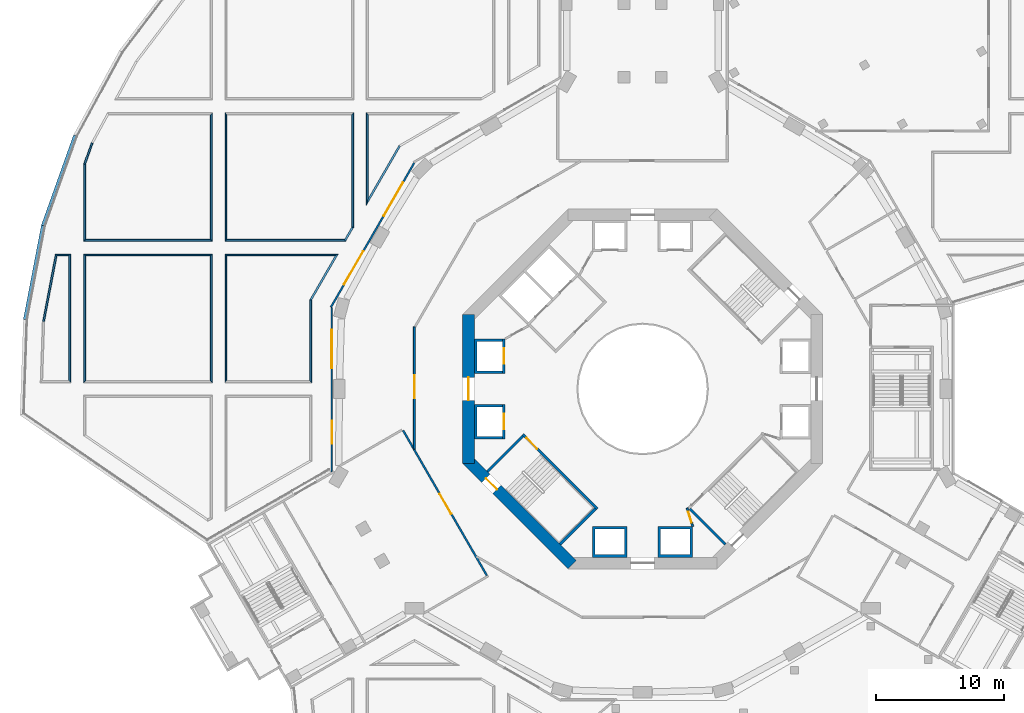
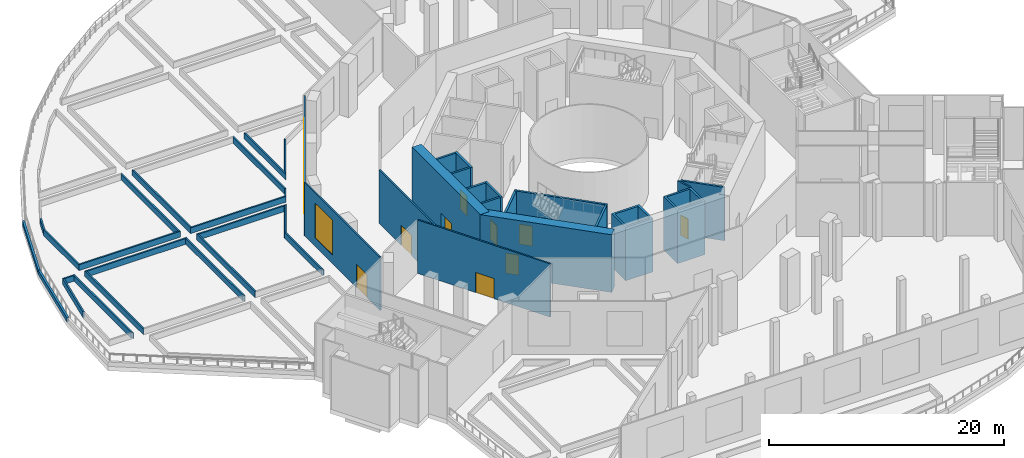
# One storey, part 5 of 29: 39 walls, 9 doors, 3 windows, 12 openings.
"""IFC4 building model written with IfcOpenShell, lengths in metres."""

from ifc_helpers import new_model, si_unit, direction, frame, frame_2d, origin, place, context, subcontext, project, spatial, polyline, rectangle, outline, extrude, material, layer, layer_set, type_object, element, fill, save


model = new_model("IFC4")

# Units and contexts
model_context = context("Model", 3, precision=1e-05, world=origin(), true_north=direction((0.0, 1.0)))
body_context = subcontext(model_context, "Body", "Model", "MODEL_VIEW")
ifc_project = project(units=[si_unit("LENGTHUNIT", "METRE"), si_unit("AREAUNIT", "SQUARE_METRE"), si_unit("VOLUMEUNIT", "CUBIC_METRE"), si_unit("PLANEANGLEUNIT", "RADIAN"), si_unit("MASSUNIT", "GRAM", prefix="KILO")], contexts=[model_context])

# Site, building, storey
site_placement = place(None, origin())
site = spatial("IfcSite", under=ifc_project, at=site_placement, CompositionType="ELEMENT")
building_placement = place(site_placement, origin())
building = spatial("IfcBuilding", under=site, at=building_placement, Name="Verdalira Terraces Hotel", CompositionType="ELEMENT")
storey_placement = place(building_placement, frame((0.0, 0.0, 8.0)))
storey = spatial("IfcBuildingStorey", under=building, at=storey_placement, Name="L01", CompositionType="ELEMENT", Elevation=8.0)

# Wall
ifc_material_1 = material(Name="Concrete C50", Category="concrete")
ifc_layer_1 = layer(ifc_material_1, 0.199951171875)
ifc_layer_set_1 = layer_set([ifc_layer_1], Name="Core RC wall 200 C50")
wall_type_1 = type_object("IfcWallType", Name="Core RC wall 200 C50", PredefinedType="SOLIDWALL", material=ifc_layer_set_1)
wall_1_placement = place(storey_placement, origin())
element("IfcWall", 1, at=wall_1_placement, inside=storey, type_object=wall_type_1, Name="L01 shaft wall W1", PredefinedType="SOLIDWALL", context=body_context, shape_type="SweptSolid", body=[
    extrude(outline(polyline([(-13.100098, 3.899902), (-10.899902, 3.899902), (-10.899902, 3.699951), (-12.899902, 3.699951), (-12.899902, 1.399902), (-10.899902, 1.399902), (-10.899902, 1.199951), (-13.100098, 1.199951), (-13.100098, 3.899902)])), origin(), (0.0, 0.0, 1.0), 5.550049),
])

# Wall, opening, door
wall_2_placement = place(storey_placement, frame((-10.800049, 1.199951, 0.0), z_axis=(0.0, 0.0, 1.0), x_axis=(0.0, 1.0, 0.0)))
wall_2 = element("IfcWall", 2, at=wall_2_placement, inside=storey, type_object=wall_type_1, Name="L01 shaft front wall W1", PredefinedType="SOLIDWALL", context=body_context, shape_type="SweptSolid", body=[
    extrude(rectangle(XDim=2.699951, YDim=0.199951, at=frame_2d((1.350098, 0.0))), origin(), (0.0, 0.0, 1.0), 5.550049),
])
opening_1_placement = place(wall_2_placement, frame((0.75, 0.0, 0.0)))
opening_1 = element("IfcOpeningElement", 3, at=opening_1_placement, cuts=wall_2, Name="Opening LD-L01-805", PredefinedType="OPENING", context=body_context, shape_type="SweptSolid", body=[
    extrude(rectangle(XDim=1.199951, YDim=2.100098, at=frame_2d((0.600098, 1.050049))), frame((0.0, 0.109863, 0.0), z_axis=(0.0, -1.0, 0.0), x_axis=(1.0, 0.0, 0.0)), (0.0, 0.0, 1.0), 0.219971),
])
ifc_material_2 = material(Name="Stainless steel", Category="steel")
door_type_1 = type_object("IfcDoorType", Name="Landing door 1200 x 2100", OperationType="NOTDEFINED", PredefinedType="DOOR", material=ifc_material_2)
door_1_placement = place(opening_1_placement, origin())
door_1 = element("IfcDoor", 4, at=door_1_placement, inside=storey, type_object=door_type_1, Name="Lift landing door LR5 L01", OperationType="DOUBLE_DOOR_SLIDING", OverallHeight=2.10009765625, OverallWidth=1.199951171875, PredefinedType="DOOR", context=body_context, shape_type="SweptSolid", body=[
    extrude(rectangle(XDim=1.199951, YDim=2.100098, at=frame_2d((0.600098, 1.050049))), frame((0.0, 0.024902, 0.0), z_axis=(0.0, -1.0, 0.0), x_axis=(1.0, 0.0, 0.0)), (0.0, 0.0, 1.0), 0.050049),
])
fill(opening_1, door_1)

# Wall
wall_3_placement = place(storey_placement, origin())
element("IfcWall", 5, at=wall_3_placement, inside=storey, type_object=wall_type_1, Name="L01 shaft wall W2", PredefinedType="SOLIDWALL", context=body_context, shape_type="SweptSolid", body=[
    extrude(outline(polyline([(-13.100098, -3.899902), (-13.100098, -1.199951), (-10.899902, -1.199951), (-10.899902, -1.399902), (-12.899902, -1.399902), (-12.899902, -3.699951), (-10.899902, -3.699951), (-10.899902, -3.899902), (-13.100098, -3.899902)])), origin(), (0.0, 0.0, 1.0), 5.550049),
])

# Wall, opening, door
wall_4_placement = place(storey_placement, frame((-10.800049, -1.199951, 0.0), z_axis=(0.0, 0.0, 1.0), x_axis=(0.0, -1.0, 0.0)))
wall_4 = element("IfcWall", 6, at=wall_4_placement, inside=storey, type_object=wall_type_1, Name="L01 shaft front wall W2", PredefinedType="SOLIDWALL", context=body_context, shape_type="SweptSolid", body=[
    extrude(rectangle(XDim=2.699951, YDim=0.199951, at=frame_2d((1.350098, 0.0))), origin(), (0.0, 0.0, 1.0), 5.550049),
])
opening_2_placement = place(wall_4_placement, frame((0.75, 0.0, 0.0)))
opening_2 = element("IfcOpeningElement", 7, at=opening_2_placement, cuts=wall_4, Name="Opening LD-L01-806", PredefinedType="OPENING", context=body_context, shape_type="SweptSolid", body=[
    extrude(rectangle(XDim=1.199951, YDim=2.100098, at=frame_2d((0.600098, 1.050049))), frame((0.0, 0.109863, 0.0), z_axis=(0.0, -1.0, 0.0), x_axis=(1.0, 0.0, 0.0)), (0.0, 0.0, 1.0), 0.219971),
])
door_2_placement = place(opening_2_placement, origin())
door_2 = element("IfcDoor", 8, at=door_2_placement, inside=storey, type_object=door_type_1, Name="Lift landing door LR6 L01", OperationType="DOUBLE_DOOR_SLIDING", OverallHeight=2.10009765625, OverallWidth=1.199951171875, PredefinedType="DOOR", context=body_context, shape_type="SweptSolid", body=[
    extrude(rectangle(XDim=1.199951, YDim=2.100098, at=frame_2d((0.600098, 1.050049))), frame((0.0, 0.024902, 0.0), z_axis=(0.0, -1.0, 0.0), x_axis=(1.0, 0.0, 0.0)), (0.0, 0.0, 1.0), 0.050049),
])
fill(opening_2, door_2)

# Walls
wall_5_placement = place(storey_placement, origin())
element("IfcWall", 9, at=wall_5_placement, inside=storey, type_object=wall_type_1, Name="L01 shaft wall S1", PredefinedType="SOLIDWALL", context=body_context, shape_type="SweptSolid", body=[
    extrude(outline(polyline([(-1.199951, -13.100098), (-3.899902, -13.100098), (-3.899902, -10.699951), (-1.199951, -10.699951), (-1.199951, -13.100098)]), holes=[polyline([(-3.699951, -10.899902), (-3.699951, -12.899902), (-1.399902, -12.899902), (-1.399902, -10.899902), (-3.699951, -10.899902)])]), origin(), (0.0, 0.0, 1.0), 5.550049),
])
wall_6_placement = place(storey_placement, origin())
element("IfcWall", 10, at=wall_6_placement, inside=storey, type_object=wall_type_1, Name="L01 shaft wall S2", PredefinedType="SOLIDWALL", context=body_context, shape_type="SweptSolid", body=[
    extrude(outline(polyline([(3.899902, -10.699951), (3.899902, -13.100098), (1.199951, -13.100098), (1.199951, -10.699951), (3.899902, -10.699951)]), holes=[polyline([(1.399902, -12.899902), (3.699951, -12.899902), (3.699951, -10.899902), (1.399902, -10.899902), (1.399902, -12.899902)])]), origin(), (0.0, 0.0, 1.0), 5.550049),
])

# Wall, opening, door
wall_7_placement = place(storey_placement, frame((-3.5354, -9.33374, 0.0), z_axis=(0.0, 0.0, 1.0), x_axis=(-0.707106781, 0.707106781, 0.0)))
wall_7 = element("IfcWall", 11, at=wall_7_placement, inside=storey, type_object=wall_type_1, Name="L01 stair ST2 front wall", PredefinedType="SOLIDWALL", context=body_context, shape_type="SweptSolid", body=[
    extrude(rectangle(XDim=8.200195, YDim=0.199951, at=frame_2d((4.100098, 0.0))), origin(), (0.0, 0.0, 1.0), 5.550049),
])
opening_3_placement = place(wall_7_placement, frame((6.600098, 0.0, 0.0)))
opening_3 = element("IfcOpeningElement", 12, at=opening_3_placement, cuts=wall_7, Name="Opening L01-810", PredefinedType="OPENING", context=body_context, shape_type="SweptSolid", body=[
    extrude(rectangle(XDim=1.199951, YDim=2.100098, at=frame_2d((0.600098, 1.050049))), frame((0.0, 0.109863, 0.0), z_axis=(0.0, -1.0, 0.0), x_axis=(1.0, 0.0, 0.0)), (0.0, 0.0, 1.0), 0.219971),
])
ifc_material_3 = material(Name="Steel fire door", Category="steel")
door_type_2 = type_object("IfcDoorType", Name="Stair door 1200 x 2100", OperationType="NOTDEFINED", PredefinedType="DOOR", material=ifc_material_3)
door_3_placement = place(opening_3_placement, origin())
door_3 = element("IfcDoor", 13, at=door_3_placement, inside=storey, type_object=door_type_2, Name="Stair door ST2 L01", OperationType="SINGLE_SWING_RIGHT", OverallHeight=2.10009765625, OverallWidth=1.199951171875, PredefinedType="DOOR", context=body_context, shape_type="SweptSolid", body=[
    extrude(rectangle(XDim=1.199951, YDim=2.100098, at=frame_2d((0.600098, 1.050049))), frame((0.0, 0.024902, 0.0), z_axis=(0.0, -1.0, 0.0), x_axis=(1.0, 0.0, 0.0)), (0.0, 0.0, 1.0), 0.050049),
])
fill(opening_3, door_3)

# Walls
for number, where, z_axis, x_axis, name in (
    (14, (-9.33374, -3.677002, 0.0), (0.0, 0.0, 1.0), (-0.707106781, -0.707106781, 0.0), "L01 stair ST2 end wall 1"),
    (15, (-3.677002, -9.33374, 0.0), (0.0, 0.0, 1.0), (-0.707106781, -0.707106781, 0.0), "L01 stair ST2 end wall 2"),
    (16, (3.677002, -9.33374, 0.0), (0.0, 0.0, 1.0), (0.707106781, -0.707106781, 0.0), "L01 stair ST3 end wall 1"),
):
    element("IfcWall", number, at=place(storey_placement, frame(where, z_axis=z_axis, x_axis=x_axis)), inside=storey, type_object=wall_type_1, Name=name, PredefinedType="SOLIDWALL", context=body_context, shape_type="SweptSolid", body=[
        extrude(rectangle(XDim=3.900146, YDim=0.199951, at=frame_2d((1.950195, 0.0))), origin(), (0.0, 0.0, 1.0), 5.550049),
    ])

# Wall, opening, door
ifc_material_4 = material(Name="Gypsum board partition")
ifc_layer_2 = layer(ifc_material_4, 0.14990234375)
ifc_layer_set_2 = layer_set([ifc_layer_2], Name="Core partition 150 mm")
wall_type_2 = type_object("IfcWallType", Name="Core partition 150 mm", PredefinedType="PARTITIONING", material=ifc_layer_set_2)
wall_8_placement = place(storey_placement, frame((3.899902, -10.699951, 0.0), z_axis=(0.0, 0.0, 1.0), x_axis=(-0.289808785, 0.957084567, 0.0)))
wall_8 = element("IfcWall", 17, at=wall_8_placement, inside=storey, type_object=wall_type_2, Name="Room partition L01", PredefinedType="PARTITIONING", context=body_context, shape_type="SweptSolid", body=[
    extrude(rectangle(XDim=1.501221, YDim=0.149902, at=frame_2d((0.750488, 0.0))), origin(), (0.0, 0.0, 1.0), 5.550049),
])
opening_4_placement = place(wall_8_placement, frame((0.300781, 0.0, 0.0)))
opening_4 = element("IfcOpeningElement", 18, at=opening_4_placement, cuts=wall_8, Name="Opening L01-822", PredefinedType="OPENING", context=body_context, shape_type="SweptSolid", body=[
    extrude(rectangle(XDim=0.899902, YDim=2.100098, at=frame_2d((0.449951, 1.050049))), frame((0.0, 0.084961, 0.0), z_axis=(0.0, -1.0, 0.0), x_axis=(1.0, 0.0, 0.0)), (0.0, 0.0, 1.0), 0.169922),
])
ifc_material_5 = material(Name="Steel fire door", Category="steel")
door_type_3 = type_object("IfcDoorType", Name="Core room door 900 x 2100", OperationType="NOTDEFINED", PredefinedType="DOOR", material=ifc_material_5)
door_4_placement = place(opening_4_placement, origin())
door_4 = element("IfcDoor", 19, at=door_4_placement, inside=storey, type_object=door_type_3, Name="Door L01 room6", OperationType="SINGLE_SWING_LEFT", OverallHeight=2.10009765625, OverallWidth=0.89990234375, PredefinedType="DOOR", context=body_context, shape_type="SweptSolid", body=[
    extrude(rectangle(XDim=0.899902, YDim=2.100098, at=frame_2d((0.449951, 1.050049))), frame((0.0, 0.024902, 0.0), z_axis=(0.0, -1.0, 0.0), x_axis=(1.0, 0.0, 0.0)), (0.0, 0.0, 1.0), 0.050049),
])
fill(opening_4, door_4)

ifc_material_6 = material(Name="Concrete C70", Category="concrete")
ifc_layer_3 = layer(ifc_material_6, 0.89990234375)
ifc_layer_set_3 = layer_set([ifc_layer_3], Name="Core wall 900 C70")
wall_type_3 = type_object("IfcWallType", Name="Core wall 900 C70", PredefinedType="SHEAR", material=ifc_layer_set_3)
wall_9_placement = place(storey_placement, frame((-13.550049, 5.799072, 0.0), z_axis=(0.0, 0.0, 1.0), x_axis=(0.0, -1.0, 0.0)))
wall_9 = element("IfcWall", 20, at=wall_9_placement, inside=storey, type_object=wall_type_3, Name="Core wall CW-L01-5", PredefinedType="SHEAR", context=body_context, shape_type="SweptSolid", body=[
    extrude(rectangle(XDim=11.598145, YDim=0.899902, at=frame_2d((5.799072, 0.0))), origin(), (0.0, 0.0, 1.0), 6.0),
])
opening_5_placement = place(wall_9_placement, frame((4.898926, 0.0, 0.0)))
opening_5 = element("IfcOpeningElement", 21, at=opening_5_placement, cuts=wall_9, Name="Opening L01-814", PredefinedType="OPENING", context=body_context, shape_type="SweptSolid", body=[
    extrude(rectangle(XDim=1.800049, YDim=2.100098, at=frame_2d((0.899902, 1.050049))), frame((0.0, 0.459961, 0.0), z_axis=(0.0, -1.0, 0.0), x_axis=(1.0, 0.0, 0.0)), (0.0, 0.0, 1.0), 0.919922),
])
ifc_material_7 = material(Name="Steel fire door", Category="steel")
door_type_4 = type_object("IfcDoorType", Name="Core entry door pair 1800 x 2100", OperationType="NOTDEFINED", PredefinedType="DOOR", material=ifc_material_7)
door_5_placement = place(opening_5_placement, origin())
door_5 = element("IfcDoor", 22, at=door_5_placement, inside=storey, type_object=door_type_4, Name="Core entry door L01 4", OperationType="DOUBLE_DOOR_SINGLE_SWING", OverallHeight=2.10009765625, OverallWidth=1.800048828125, PredefinedType="DOOR", context=body_context, shape_type="SweptSolid", body=[
    extrude(rectangle(XDim=1.800049, YDim=2.100098, at=frame_2d((0.899902, 1.050049))), frame((0.0, 0.024902, 0.0), z_axis=(0.0, -1.0, 0.0), x_axis=(1.0, 0.0, 0.0)), (0.0, 0.0, 1.0), 0.050049),
])
fill(opening_5, door_5)

wall_10_placement = place(storey_placement, frame((-13.681885, -5.480713, 0.0), z_axis=(0.0, 0.0, 1.0), x_axis=(0.707106781, -0.707106781, 0.0)))
wall_10 = element("IfcWall", 23, at=wall_10_placement, inside=storey, type_object=wall_type_3, Name="Core wall CW-L01-6", PredefinedType="SHEAR", context=body_context, shape_type="SweptSolid", body=[
    extrude(rectangle(XDim=11.598145, YDim=0.899902, at=frame_2d((5.799072, 0.0))), origin(), (0.0, 0.0, 1.0), 6.0),
])
opening_6_placement = place(wall_10_placement, frame((2.099121, 0.0, 0.0)))
opening_6 = element("IfcOpeningElement", 24, at=opening_6_placement, cuts=wall_10, Name="Opening L01-817", PredefinedType="OPENING", context=body_context, shape_type="SweptSolid", body=[
    extrude(rectangle(XDim=1.199951, YDim=2.100098, at=frame_2d((0.600098, 1.050049))), frame((0.0, 0.459961, 0.0), z_axis=(0.0, -1.0, 0.0), x_axis=(1.0, 0.0, 0.0)), (0.0, 0.0, 1.0), 0.919922),
])
door_6_placement = place(opening_6_placement, origin())
door_6 = element("IfcDoor", 25, at=door_6_placement, inside=storey, type_object=door_type_2, Name="Stair exit door ST2 L01", OperationType="SINGLE_SWING_LEFT", OverallHeight=2.10009765625, OverallWidth=1.199951171875, PredefinedType="DOOR", context=body_context, shape_type="SweptSolid", body=[
    extrude(rectangle(XDim=1.199951, YDim=2.100098, at=frame_2d((0.600098, 1.050049))), frame((0.0, 0.024902, 0.0), z_axis=(0.0, -1.0, 0.0), x_axis=(1.0, 0.0, 0.0)), (0.0, 0.0, 1.0), 0.050049),
])
fill(opening_6, door_6)

ifc_material_8 = material(Name="Gypsum board partition on steel stud", Category="steel")
ifc_layer_4 = layer(ifc_material_8, 0.14990234375)
ifc_layer_set_4 = layer_set([ifc_layer_4], Name="Fire-rated partition 150 mm")
wall_type_4 = type_object("IfcWallType", Name="Fire-rated partition 150 mm", PredefinedType="PARTITIONING", material=ifc_layer_set_4)
wall_11_placement = place(storey_placement, frame((-17.758301, 4.833252, 0.0), z_axis=(0.0, 0.0, 1.0), x_axis=(0.0, -1.0, 0.0)))
wall_11 = element("IfcWall", 26, at=wall_11_placement, inside=storey, type_object=wall_type_4, Name="Partition", PredefinedType="PARTITIONING", context=body_context, shape_type="SweptSolid", body=[
    extrude(rectangle(XDim=9.516602, YDim=0.149902, at=frame_2d((4.758301, 0.0))), origin(), (0.0, 0.0, 1.0), 5.550049),
])
opening_7_placement = place(wall_11_placement, frame((3.766602, 0.0, 0.0)))
opening_7 = element("IfcOpeningElement", 27, at=opening_7_placement, cuts=wall_11, Name="Opening L01-D05", PredefinedType="OPENING", context=body_context, shape_type="SweptSolid", body=[
    extrude(rectangle(XDim=1.800049, YDim=2.100098, at=frame_2d((0.899902, 1.050049))), frame((0.0, 0.084961, 0.0), z_axis=(0.0, -1.0, 0.0), x_axis=(1.0, 0.0, 0.0)), (0.0, 0.0, 1.0), 0.169922),
])
ifc_material_9 = material(Name="Steel fire door", Category="steel")
door_type_5 = type_object("IfcDoorType", Name="Fire door pair 1800 x 2100", OperationType="DOUBLE_DOOR_SINGLE_SWING", PredefinedType="DOOR", material=ifc_material_9)
door_7_placement = place(opening_7_placement, origin())
door_7 = element("IfcDoor", 28, at=door_7_placement, inside=storey, type_object=door_type_5, Name="Ring corridor door", OperationType="DOUBLE_DOOR_SINGLE_SWING", OverallHeight=2.10009765625, OverallWidth=1.800048828125, PredefinedType="DOOR", context=body_context, shape_type="SweptSolid", body=[
    extrude(rectangle(XDim=1.800049, YDim=2.100098, at=frame_2d((0.899902, 1.050049))), frame((0.0, 0.024902, 0.0), z_axis=(0.0, -1.0, 0.0), x_axis=(1.0, 0.0, 0.0)), (0.0, 0.0, 1.0), 0.050049),
])
fill(opening_7, door_7)

wall_12_placement = place(storey_placement, frame((-18.641602, -3.228516, 0.0), z_axis=(0.0, 0.0, 1.0), x_axis=(0.499998298, -0.866026387, 0.0)))
wall_12 = element("IfcWall", 29, at=wall_12_placement, inside=storey, type_object=wall_type_4, Name="Partition", PredefinedType="PARTITIONING", context=body_context, shape_type="SweptSolid", body=[
    extrude(rectangle(XDim=13.049805, YDim=0.149902, at=frame_2d((6.524902, 0.0))), origin(), (0.0, 0.0, 1.0), 5.550049),
])
opening_8_placement = place(wall_12_placement, frame((5.699951, 0.0, 0.0)))
opening_8 = element("IfcOpeningElement", 30, at=opening_8_placement, cuts=wall_12, Name="Opening L01-D07", PredefinedType="OPENING", context=body_context, shape_type="SweptSolid", body=[
    extrude(rectangle(XDim=1.800049, YDim=2.100098, at=frame_2d((0.899902, 1.050049))), frame((0.0, 0.084961, 0.0), z_axis=(0.0, -1.0, 0.0), x_axis=(1.0, 0.0, 0.0)), (0.0, 0.0, 1.0), 0.169922),
])
door_8_placement = place(opening_8_placement, origin())
door_8 = element("IfcDoor", 31, at=door_8_placement, inside=storey, type_object=door_type_5, Name="Ring corridor door", OperationType="DOUBLE_DOOR_SINGLE_SWING", OverallHeight=2.10009765625, OverallWidth=1.800048828125, PredefinedType="DOOR", context=body_context, shape_type="SweptSolid", body=[
    extrude(rectangle(XDim=1.800049, YDim=2.100098, at=frame_2d((0.899902, 1.050049))), frame((0.0, 0.024902, 0.0), z_axis=(0.0, -1.0, 0.0), x_axis=(1.0, 0.0, 0.0)), (0.0, 0.0, 1.0), 0.050049),
])
fill(opening_8, door_8)

# Walls
ifc_material_10 = material(Name="Concrete C40", Category="concrete")
ifc_layer_5 = layer(ifc_material_10, 0.14990234375)
ifc_layer_set_5 = layer_set([ifc_layer_5], Name="Terrace planter trough 150 x 600")
wall_type_5 = type_object("IfcWallType", Name="Terrace planter trough 150 x 600", PredefinedType="SOLIDWALL", material=ifc_layer_set_5)
wall_13_placement = place(storey_placement, origin())
element("IfcWall", 32, at=wall_13_placement, inside=storey, type_object=wall_type_5, Name="Terrace planting bed trough", PredefinedType="SOLIDWALL", context=body_context, shape_type="SweptSolid", body=[
    extrude(outline(polyline([(-42.909912, 19.166016), (-43.5, 17.513184), (-43.350098, 17.487305), (-42.772461, 19.104492), (-42.909912, 19.166016)])), origin(), (0.0, 0.0, 1.0), 0.600098),
])
wall_14_placement = place(storey_placement, origin())
element("IfcWall", 33, at=wall_14_placement, inside=storey, type_object=wall_type_5, Name="Terrace planting bed trough", PredefinedType="SOLIDWALL", context=body_context, shape_type="SweptSolid", body=[
    extrude(outline(polyline([(-43.5, 17.513184), (-43.5, 11.5), (-43.350098, 11.649902), (-43.350098, 17.487305), (-43.5, 17.513184)])), origin(), (0.0, 0.0, 1.0), 0.600098),
])
wall_15_placement = place(storey_placement, origin())
element("IfcWall", 34, at=wall_15_placement, inside=storey, type_object=wall_type_5, Name="Terrace planting bed trough", PredefinedType="SOLIDWALL", context=body_context, shape_type="SweptSolid", body=[
    extrude(outline(polyline([(-43.5, 11.5), (-33.5, 11.5), (-33.649902, 11.649902), (-43.350098, 11.649902), (-43.5, 11.5)])), origin(), (0.0, 0.0, 1.0), 0.600098),
])
wall_16_placement = place(storey_placement, origin())
element("IfcWall", 35, at=wall_16_placement, inside=storey, type_object=wall_type_5, Name="Terrace planting bed trough", PredefinedType="SOLIDWALL", context=body_context, shape_type="SweptSolid", body=[
    extrude(outline(polyline([(-33.5, 11.5), (-33.5, 21.5), (-33.649902, 21.350098), (-33.649902, 11.649902), (-33.5, 11.5)])), origin(), (0.0, 0.0, 1.0), 0.600098),
])
wall_17_placement = place(storey_placement, origin())
element("IfcWall", 36, at=wall_17_placement, inside=storey, type_object=wall_type_5, Name="Terrace planting bed trough", PredefinedType="SOLIDWALL", context=body_context, shape_type="SweptSolid", body=[
    extrude(outline(polyline([(-21.5, 21.5), (-21.5, 14.277588), (-21.350098, 14.837402), (-21.350098, 21.350098), (-21.5, 21.5)])), origin(), (0.0, 0.0, 1.0), 0.600098),
])
wall_18_placement = place(storey_placement, origin())
element("IfcWall", 37, at=wall_18_placement, inside=storey, type_object=wall_type_5, Name="Terrace planting bed trough", PredefinedType="SOLIDWALL", context=body_context, shape_type="SweptSolid", body=[
    extrude(outline(polyline([(-21.5, 14.277588), (-18.856445, 18.856445), (-18.966309, 18.966309), (-21.350098, 14.837402), (-21.5, 14.277588)])), origin(), (0.0, 0.0, 1.0), 0.600098),
])
wall_19_placement = place(storey_placement, origin())
element("IfcWall", 38, at=wall_19_placement, inside=storey, type_object=wall_type_5, Name="Terrace planting bed trough", PredefinedType="SOLIDWALL", context=body_context, shape_type="SweptSolid", body=[
    extrude(outline(polyline([(-23.103516, 11.5), (-22.5, 12.54541), (-22.649902, 12.585693), (-23.190186, 11.649902), (-23.103516, 11.5)])), origin(), (0.0, 0.0, 1.0), 0.600098),
])
wall_20_placement = place(storey_placement, origin())
element("IfcWall", 39, at=wall_20_placement, inside=storey, type_object=wall_type_5, Name="Terrace planting bed trough", PredefinedType="SOLIDWALL", context=body_context, shape_type="SweptSolid", body=[
    extrude(outline(polyline([(-22.5, 12.54541), (-22.5, 21.5), (-22.649902, 21.350098), (-22.649902, 12.585693), (-22.5, 12.54541)])), origin(), (0.0, 0.0, 1.0), 0.600098),
])
wall_21_placement = place(storey_placement, origin())
element("IfcWall", 40, at=wall_21_placement, inside=storey, type_object=wall_type_5, Name="Terrace planting bed trough", PredefinedType="SOLIDWALL", context=body_context, shape_type="SweptSolid", body=[
    extrude(outline(polyline([(-32.5, 21.5), (-32.5, 11.5), (-32.350098, 11.649902), (-32.350098, 21.350098), (-32.5, 21.5)])), origin(), (0.0, 0.0, 1.0), 0.600098),
])
wall_22_placement = place(storey_placement, origin())
element("IfcWall", 41, at=wall_22_placement, inside=storey, type_object=wall_type_5, Name="Terrace planting bed trough", PredefinedType="SOLIDWALL", context=body_context, shape_type="SweptSolid", body=[
    extrude(outline(polyline([(-32.5, 11.5), (-23.103516, 11.5), (-23.190186, 11.649902), (-32.350098, 11.649902), (-32.5, 11.5)])), origin(), (0.0, 0.0, 1.0), 0.600098),
])
wall_23_placement = place(storey_placement, origin())
element("IfcWall", 42, at=wall_23_placement, inside=storey, type_object=wall_type_5, Name="Terrace planting bed trough", PredefinedType="SOLIDWALL", context=body_context, shape_type="SweptSolid", body=[
    extrude(outline(polyline([(-25.758301, 6.901855), (-23.680908, 10.5), (-23.940918, 10.350098), (-25.908203, 6.942139), (-25.758301, 6.901855)])), origin(), (0.0, 0.0, 1.0), 0.600098),
])
wall_24_placement = place(storey_placement, origin())
element("IfcWall", 43, at=wall_24_placement, inside=storey, type_object=wall_type_5, Name="Terrace planting bed trough", PredefinedType="SOLIDWALL", context=body_context, shape_type="SweptSolid", body=[
    extrude(outline(polyline([(-23.680908, 10.5), (-32.5, 10.5), (-32.350098, 10.350098), (-23.940918, 10.350098), (-23.680908, 10.5)])), origin(), (0.0, 0.0, 1.0), 0.600098),
])
wall_25_placement = place(storey_placement, origin())
element("IfcWall", 44, at=wall_25_placement, inside=storey, type_object=wall_type_5, Name="Terrace planting bed trough", PredefinedType="SOLIDWALL", context=body_context, shape_type="SweptSolid", body=[
    extrude(outline(polyline([(-32.5, 10.5), (-32.5, 0.5), (-32.350098, 0.649902), (-32.350098, 10.350098), (-32.5, 10.5)])), origin(), (0.0, 0.0, 1.0), 0.600098),
])
wall_26_placement = place(storey_placement, origin())
element("IfcWall", 45, at=wall_26_placement, inside=storey, type_object=wall_type_5, Name="Terrace planting bed trough", PredefinedType="SOLIDWALL", context=body_context, shape_type="SweptSolid", body=[
    extrude(outline(polyline([(-25.758301, 0.5), (-25.758301, 6.901855), (-25.908203, 6.942139), (-25.908203, 0.649902), (-25.758301, 0.5)])), origin(), (0.0, 0.0, 1.0), 0.600098),
])
wall_27_placement = place(storey_placement, origin())
element("IfcWall", 46, at=wall_27_placement, inside=storey, type_object=wall_type_5, Name="Terrace planting bed trough", PredefinedType="SOLIDWALL", context=body_context, shape_type="SweptSolid", body=[
    extrude(outline(polyline([(-44.5, 0.5), (-44.5, 10.5), (-44.649902, 10.350098), (-44.649902, 0.649902), (-44.5, 0.5)])), origin(), (0.0, 0.0, 1.0), 0.600098),
])
wall_28_placement = place(storey_placement, origin())
element("IfcWall", 47, at=wall_28_placement, inside=storey, type_object=wall_type_5, Name="Terrace planting bed trough", PredefinedType="SOLIDWALL", context=body_context, shape_type="SweptSolid", body=[
    extrude(outline(polyline([(-44.5, 10.5), (-45.697266, 10.5), (-45.573242, 10.350098), (-44.649902, 10.350098), (-44.5, 10.5)])), origin(), (0.0, 0.0, 1.0), 0.600098),
])
wall_29_placement = place(storey_placement, origin())
element("IfcWall", 48, at=wall_29_placement, inside=storey, type_object=wall_type_5, Name="Terrace planting bed trough", PredefinedType="SOLIDWALL", context=body_context, shape_type="SweptSolid", body=[
    extrude(outline(polyline([(-45.697266, 10.5), (-46.70166, 5.247559), (-46.552002, 5.230713), (-45.573242, 10.350098), (-45.697266, 10.5)])), origin(), (0.0, 0.0, 1.0), 0.600098),
])
wall_30_placement = place(storey_placement, origin())
element("IfcWall", 49, at=wall_30_placement, inside=storey, type_object=wall_type_5, Name="Terrace planting bed trough", PredefinedType="SOLIDWALL", context=body_context, shape_type="SweptSolid", body=[
    extrude(outline(polyline([(-33.5, 0.5), (-33.5, 10.5), (-33.649902, 10.350098), (-33.649902, 0.649902), (-33.5, 0.5)])), origin(), (0.0, 0.0, 1.0), 0.600098),
])
wall_31_placement = place(storey_placement, origin())
element("IfcWall", 50, at=wall_31_placement, inside=storey, type_object=wall_type_5, Name="Terrace planting bed trough", PredefinedType="SOLIDWALL", context=body_context, shape_type="SweptSolid", body=[
    extrude(outline(polyline([(-33.5, 10.5), (-43.5, 10.5), (-43.350098, 10.350098), (-33.649902, 10.350098), (-33.5, 10.5)])), origin(), (0.0, 0.0, 1.0), 0.600098),
])
wall_32_placement = place(storey_placement, origin())
element("IfcWall", 51, at=wall_32_placement, inside=storey, type_object=wall_type_5, Name="Terrace planting bed trough", PredefinedType="SOLIDWALL", context=body_context, shape_type="SweptSolid", body=[
    extrude(outline(polyline([(-43.5, 10.5), (-43.5, 0.5), (-43.350098, 0.649902), (-43.350098, 10.350098), (-43.5, 10.5)])), origin(), (0.0, 0.0, 1.0), 0.600098),
])
ifc_material_11 = material(Name="Concrete C40", Category="concrete")
ifc_layer_6 = layer(ifc_material_11, 0.199951171875)
ifc_layer_set_6 = layer_set([ifc_layer_6], Name="Terrace upstand 200 x 450")
wall_type_6 = type_object("IfcWallType", Name="Terrace upstand 200 x 450", PredefinedType="SOLIDWALL", material=ifc_layer_set_6)
wall_33_placement = place(storey_placement, origin())
element("IfcWall", 52, at=wall_33_placement, inside=storey, type_object=wall_type_6, Name="Terrace upstand", PredefinedType="SOLIDWALL", context=body_context, shape_type="SweptSolid", body=[
    extrude(outline(polyline([(-44.100342, 19.697754), (-44.283447, 19.779541), (-46.794434, 12.748535), (-46.60083, 12.695801), (-44.100342, 19.697754)])), origin(), (0.0, 0.0, 1.0), 0.449951),
])
wall_34_placement = place(storey_placement, origin())
element("IfcWall", 53, at=wall_34_placement, inside=storey, type_object=wall_type_6, Name="Terrace upstand", PredefinedType="SOLIDWALL", context=body_context, shape_type="SweptSolid", body=[
    extrude(outline(polyline([(-46.60083, 12.695801), (-46.794434, 12.748535), (-48.196777, 5.415527), (-47.997314, 5.393311), (-46.60083, 12.695801)])), origin(), (0.0, 0.0, 1.0), 0.449951),
])

# Wall, openings, windows
ifc_material_12 = material(Name="Terracotta cladding on steel stud backup", Category="masonry")
ifc_layer_7 = layer(ifc_material_12, 0.139892578125)
ifc_layer_set_7 = layer_set([ifc_layer_7], Name="Terracotta clad wall 140 mm")
wall_type_7 = type_object("IfcWallType", Name="Terracotta clad wall 140 mm", PredefinedType="SOLIDWALL", material=ifc_layer_set_7)
wall_35_placement = place(storey_placement, frame((-17.7771, 17.585693, 0.0), z_axis=(0.0, 0.0, 1.0), x_axis=(-0.500006139, -0.866021859, 0.0)))
wall_35 = element("IfcWall", 54, at=wall_35_placement, inside=storey, type_object=wall_type_7, Name="Podium facade wall", PredefinedType="SOLIDWALL", context=body_context, shape_type="SweptSolid", body=[
    extrude(rectangle(XDim=12.962158, YDim=0.139893, at=frame_2d((6.480957, 0.0))), origin(), (0.0, 0.0, 1.0), 5.550049),
])
opening_9_placement = place(wall_35_placement, frame((1.747803, 0.0, 0.899902)))
opening_9 = element("IfcOpeningElement", 55, at=opening_9_placement, cuts=wall_35, Name="Opening WP", PredefinedType="OPENING", context=body_context, shape_type="SweptSolid", body=[
    extrude(rectangle(XDim=3.0, YDim=3.600098, at=frame_2d((1.5, 1.800049))), frame((0.0, 0.079834, 0.0), z_axis=(0.0, -1.0, 0.0), x_axis=(1.0, 0.0, 0.0)), (0.0, 0.0, 1.0), 0.159912),
])
opening_10_placement = place(wall_35_placement, frame((7.93457, 0.0, 0.899902)))
opening_10 = element("IfcOpeningElement", 56, at=opening_10_placement, cuts=wall_35, Name="Opening WP", PredefinedType="OPENING", context=body_context, shape_type="SweptSolid", body=[
    extrude(rectangle(XDim=3.0, YDim=3.600098, at=frame_2d((1.5, 1.800049))), frame((0.0, 0.079834, 0.0), z_axis=(0.0, -1.0, 0.0), x_axis=(1.0, 0.0, 0.0)), (0.0, 0.0, 1.0), 0.159912),
])
ifc_material_13 = material(Name="Clear double glazing in aluminium frame", Category="aluminium")
window_type = type_object("IfcWindowType", Name="Podium window 3000 x 3600", PartitioningType="SINGLE_PANEL", PredefinedType="WINDOW", material=ifc_material_13)
window_1_placement = place(opening_9_placement, origin())
window_1 = element("IfcWindow", 57, at=window_1_placement, inside=storey, type_object=window_type, Name="Podium window", OverallHeight=3.60009765625, OverallWidth=3.0, PartitioningType="SINGLE_PANEL", PredefinedType="WINDOW", context=body_context, shape_type="SweptSolid", body=[
    extrude(rectangle(XDim=3.0, YDim=3.600098, at=frame_2d((1.5, 1.800049))), frame((0.0, 0.030029, 0.0), z_axis=(0.0, -1.0, 0.0), x_axis=(1.0, 0.0, 0.0)), (0.0, 0.0, 1.0), 0.060059),
])
fill(opening_9, window_1)
window_2_placement = place(opening_10_placement, origin())
window_2 = element("IfcWindow", 58, at=window_2_placement, inside=storey, type_object=window_type, Name="Podium window", OverallHeight=3.60009765625, OverallWidth=3.0, PartitioningType="SINGLE_PANEL", PredefinedType="WINDOW", context=body_context, shape_type="SweptSolid", body=[
    extrude(rectangle(XDim=3.0, YDim=3.600098, at=frame_2d((1.5, 1.800049))), frame((0.0, 0.030029, 0.0), z_axis=(0.0, -1.0, 0.0), x_axis=(1.0, 0.0, 0.0)), (0.0, 0.0, 1.0), 0.060059),
])
fill(opening_10, window_2)

# Wall, openings, window, door
wall_36_placement = place(storey_placement, frame((-24.188232, -6.459717, 0.0), z_axis=(0.0, 0.0, 1.0), x_axis=(0.0, 1.0, 0.0)))
wall_36 = element("IfcWall", 59, at=wall_36_placement, inside=storey, type_object=wall_type_7, Name="Podium facade wall", PredefinedType="SOLIDWALL", context=body_context, shape_type="SweptSolid", body=[
    extrude(rectangle(XDim=12.801025, YDim=0.139893, at=frame_2d((6.400391, 0.0))), origin(), (0.0, 0.0, 1.0), 5.550049),
])
opening_11_placement = place(wall_36_placement, frame((8.052979, 0.0, 0.899902)))
opening_11 = element("IfcOpeningElement", 60, at=opening_11_placement, cuts=wall_36, Name="Opening WP", PredefinedType="OPENING", context=body_context, shape_type="SweptSolid", body=[
    extrude(rectangle(XDim=3.0, YDim=3.600098, at=frame_2d((1.5, 1.800049))), frame((0.0, 0.079834, 0.0), z_axis=(0.0, -1.0, 0.0), x_axis=(1.0, 0.0, 0.0)), (0.0, 0.0, 1.0), 0.159912),
])
opening_12_placement = place(wall_36_placement, frame((2.198486, 0.0, 0.0)))
opening_12 = element("IfcOpeningElement", 61, at=opening_12_placement, cuts=wall_36, Name="Opening L01-T03", PredefinedType="OPENING", context=body_context, shape_type="SweptSolid", body=[
    extrude(rectangle(XDim=1.800049, YDim=2.399902, at=frame_2d((0.899902, 1.199951))), frame((0.0, 0.079834, 0.0), z_axis=(0.0, -1.0, 0.0), x_axis=(1.0, 0.0, 0.0)), (0.0, 0.0, 1.0), 0.159912),
])
window_3_placement = place(opening_11_placement, origin())
window_3 = element("IfcWindow", 62, at=window_3_placement, inside=storey, type_object=window_type, Name="Podium window", OverallHeight=3.60009765625, OverallWidth=3.0, PartitioningType="SINGLE_PANEL", PredefinedType="WINDOW", context=body_context, shape_type="SweptSolid", body=[
    extrude(rectangle(XDim=3.0, YDim=3.600098, at=frame_2d((1.5, 1.800049))), frame((0.0, 0.030029, 0.0), z_axis=(0.0, -1.0, 0.0), x_axis=(1.0, 0.0, 0.0)), (0.0, 0.0, 1.0), 0.060059),
])
fill(opening_11, window_3)
ifc_material_14 = material(Name="Glazed aluminium door", Category="aluminium")
door_type_6 = type_object("IfcDoorType", Name="Terrace door pair 1800 x 2400", OperationType="DOUBLE_DOOR_SINGLE_SWING", PredefinedType="DOOR", material=ifc_material_14)
door_9_placement = place(opening_12_placement, origin())
door_9 = element("IfcDoor", 63, at=door_9_placement, inside=storey, type_object=door_type_6, Name="Terrace door", OperationType="DOUBLE_DOOR_SINGLE_SWING", OverallHeight=2.39990234375, OverallWidth=1.800048828125, PredefinedType="DOOR", context=body_context, shape_type="SweptSolid", body=[
    extrude(rectangle(XDim=1.800049, YDim=2.399902, at=frame_2d((0.899902, 1.199951))), frame((0.0, 0.024902, 0.0), z_axis=(0.0, -1.0, 0.0), x_axis=(1.0, 0.0, 0.0)), (0.0, 0.0, 1.0), 0.050049),
])
fill(opening_12, door_9)

save(model, "model.ifc")
